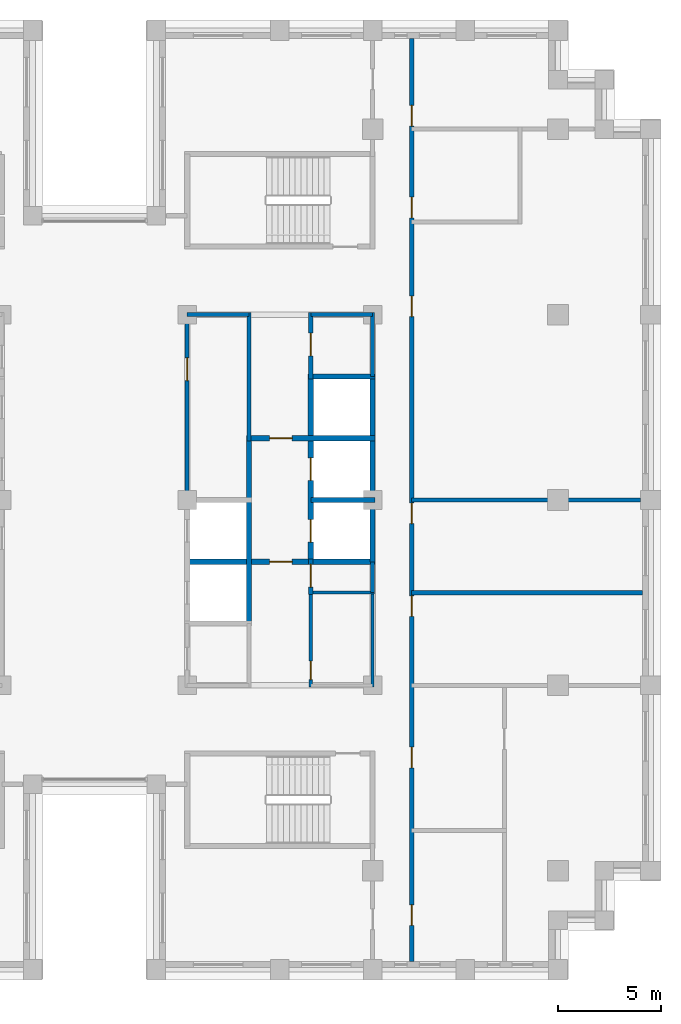
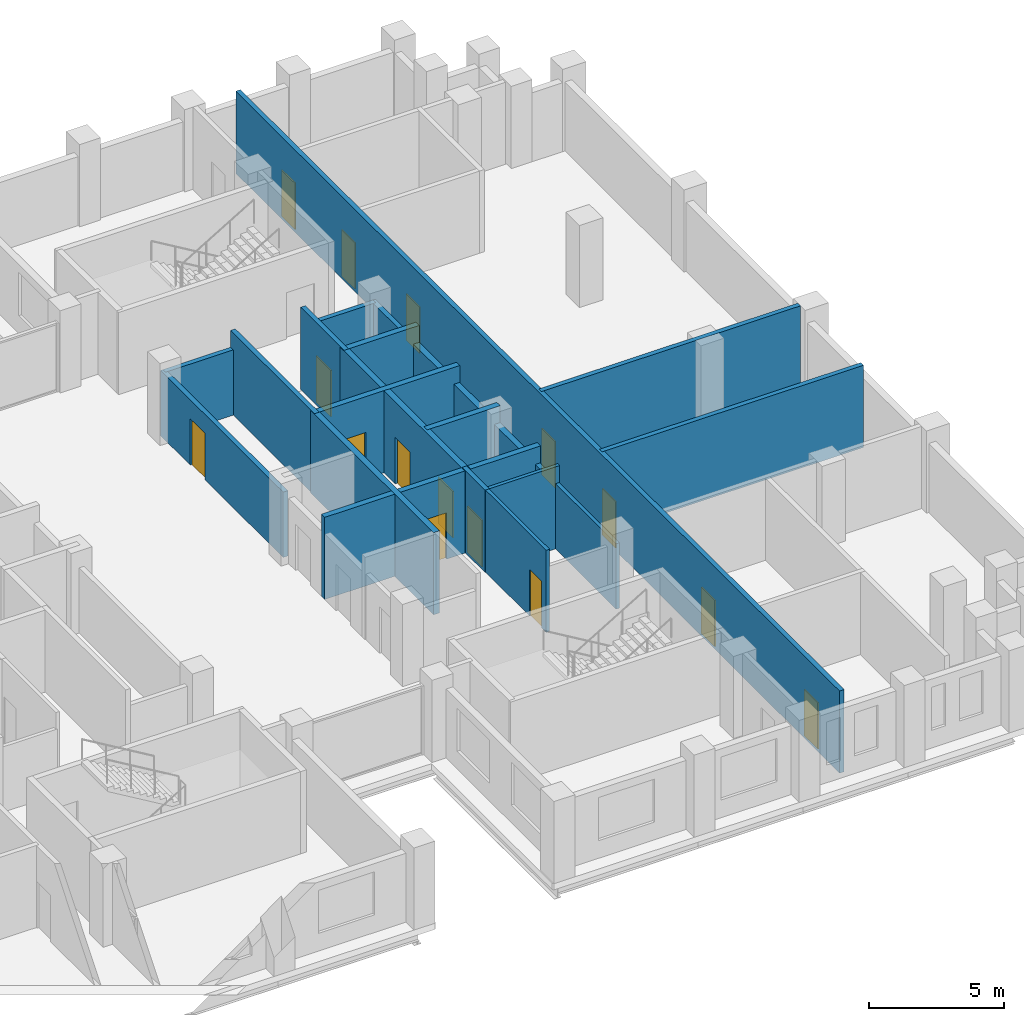
# One storey, part 9 of 15: 21 walls, 15 doors, 15 openings.
"""IFC4 building model written with IfcOpenShell, lengths in metres."""

from ifc_helpers import new_model, si_unit, direction, frame, frame_2d, origin, place, context, subcontext, project, spatial, rectangle, extrude, material, layer, layer_set, type_object, element, fill, save


model = new_model("IFC4")

# Units and contexts
model_context = context("Model", 3, precision=1e-05, world=origin(), true_north=direction((0.0, 1.0)))
body_context = subcontext(model_context, "Body", "Model", "MODEL_VIEW")
ifc_project = project(units=[si_unit("LENGTHUNIT", "METRE"), si_unit("AREAUNIT", "SQUARE_METRE"), si_unit("VOLUMEUNIT", "CUBIC_METRE"), si_unit("PLANEANGLEUNIT", "RADIAN"), si_unit("MASSUNIT", "GRAM", prefix="KILO")], contexts=[model_context])

# Site, building, storey
site_placement = place(None, origin())
site = spatial("IfcSite", under=ifc_project, at=site_placement, CompositionType="ELEMENT")
building_placement = place(site_placement, origin())
building = spatial("IfcBuilding", under=site, at=building_placement, Name="Corbelhall Arena Tower", CompositionType="ELEMENT")
storey_placement = place(building_placement, frame((0.0, 0.0, 208.0)))
storey = spatial("IfcBuildingStorey", under=building, at=storey_placement, Name="L43", CompositionType="ELEMENT", Elevation=208.0)

# Wall, openings, doors
ifc_material_1 = material(Name="Gypsum board on steel stud, acoustic", Category="steel")
ifc_layer_1 = layer(ifc_material_1, 0.199951171875)
ifc_layer_set_1 = layer_set([ifc_layer_1], Name="IN-W-DM200")
wall_type_1 = type_object("IfcWallType", Name="IN-W-DM200", PredefinedType="PARTITIONING", material=ifc_layer_set_1)
wall_1_placement = place(storey_placement, frame((15.39990234375, 22.39990234375, 0.0), z_axis=(0.0, 0.0, 1.0), x_axis=(0.0, -1.0, 0.0)))
wall_1 = element("IfcWall", 1, at=wall_1_placement, inside=storey, type_object=wall_type_1, Name="Partition 026", PredefinedType="PARTITIONING", context=body_context, shape_type="SweptSolid", body=[
    extrude(rectangle(XDim=44.7998046875, YDim=0.199951171875, at=frame_2d((22.39990234375, 0.0))), origin(), (0.0, 0.0, 1.0), 3.719970703125),
])
opening_1_placement = place(wall_1_placement, frame((12.5, 0.0, 0.0)))
opening_1 = element("IfcOpeningElement", 2, at=opening_1_placement, cuts=wall_1, Name="Opening 13032", PredefinedType="OPENING", context=body_context, shape_type="SweptSolid", body=[
    extrude(rectangle(XDim=1.0, YDim=2.10009765625, at=frame_2d((0.5, 1.050048828125))), frame((0.0, 0.10009765625, 0.0), z_axis=(0.0, -1.0, 0.0), x_axis=(1.0, 0.0, 0.0)), (0.0, 0.0, 1.0), 0.199951171875),
])
opening_2_placement = place(wall_1_placement, frame((7.699951171875, 0.0, 0.0)))
opening_2 = element("IfcOpeningElement", 3, at=opening_2_placement, cuts=wall_1, Name="Opening 13033", PredefinedType="OPENING", context=body_context, shape_type="SweptSolid", body=[
    extrude(rectangle(XDim=1.0, YDim=2.10009765625, at=frame_2d((0.5, 1.050048828125))), frame((0.0, 0.10009765625, 0.0), z_axis=(0.0, -1.0, 0.0), x_axis=(1.0, 0.0, 0.0)), (0.0, 0.0, 1.0), 0.199951171875),
])
opening_3_placement = place(wall_1_placement, frame((3.25, 0.0, 0.0)))
opening_3 = element("IfcOpeningElement", 4, at=opening_3_placement, cuts=wall_1, Name="Opening 13034", PredefinedType="OPENING", context=body_context, shape_type="SweptSolid", body=[
    extrude(rectangle(XDim=1.0, YDim=2.10009765625, at=frame_2d((0.5, 1.050048828125))), frame((0.0, 0.10009765625, 0.0), z_axis=(0.0, -1.0, 0.0), x_axis=(1.0, 0.0, 0.0)), (0.0, 0.0, 1.0), 0.199951171875),
])
opening_4_placement = place(wall_1_placement, frame((42.050048828125, 0.0, 0.0)))
opening_4 = element("IfcOpeningElement", 5, at=opening_4_placement, cuts=wall_1, Name="Opening 13035", PredefinedType="OPENING", context=body_context, shape_type="SweptSolid", body=[
    extrude(rectangle(XDim=1.0, YDim=2.10009765625, at=frame_2d((0.5, 1.050048828125))), frame((0.0, 0.10009765625, 0.0), z_axis=(0.0, -1.0, 0.0), x_axis=(1.0, 0.0, 0.0)), (0.0, 0.0, 1.0), 0.199951171875),
])
opening_5_placement = place(wall_1_placement, frame((34.39990234375, 0.0, 0.0)))
opening_5 = element("IfcOpeningElement", 6, at=opening_5_placement, cuts=wall_1, Name="Opening 13036", PredefinedType="OPENING", context=body_context, shape_type="SweptSolid", body=[
    extrude(rectangle(XDim=1.0, YDim=2.10009765625, at=frame_2d((0.5, 1.050048828125))), frame((0.0, 0.10009765625, 0.0), z_axis=(0.0, -1.0, 0.0), x_axis=(1.0, 0.0, 0.0)), (0.0, 0.0, 1.0), 0.199951171875),
])
opening_6_placement = place(wall_1_placement, frame((27.050048828125, 0.0, 0.0)))
opening_6 = element("IfcOpeningElement", 7, at=opening_6_placement, cuts=wall_1, Name="Opening 13038", PredefinedType="OPENING", context=body_context, shape_type="SweptSolid", body=[
    extrude(rectangle(XDim=1.0, YDim=2.10009765625, at=frame_2d((0.5, 1.050048828125))), frame((0.0, 0.10009765625, 0.0), z_axis=(0.0, -1.0, 0.0), x_axis=(1.0, 0.0, 0.0)), (0.0, 0.0, 1.0), 0.199951171875),
])
opening_7_placement = place(wall_1_placement, frame((22.550048828125, 0.0, 0.0)))
opening_7 = element("IfcOpeningElement", 8, at=opening_7_placement, cuts=wall_1, Name="Opening 13039", PredefinedType="OPENING", context=body_context, shape_type="SweptSolid", body=[
    extrude(rectangle(XDim=1.0, YDim=2.10009765625, at=frame_2d((0.5, 1.050048828125))), frame((0.0, 0.10009765625, 0.0), z_axis=(0.0, -1.0, 0.0), x_axis=(1.0, 0.0, 0.0)), (0.0, 0.0, 1.0), 0.199951171875),
])
ifc_material_2 = material(Name="Steel door set", Category="steel")
door_type_1 = type_object("IfcDoorType", Name="IN-D-SW100", OperationType="NOTDEFINED", PredefinedType="DOOR", material=ifc_material_2)
door_1_placement = place(opening_1_placement, origin())
door_1 = element("IfcDoor", 9, at=door_1_placement, inside=storey, type_object=door_type_1, Name="Door 032", OperationType="SINGLE_SWING_LEFT", OverallHeight=2.10009765625, OverallWidth=1.0, PredefinedType="DOOR", context=body_context, shape_type="SweptSolid", body=[
    extrude(rectangle(XDim=1.0, YDim=2.10009765625, at=frame_2d((0.5, 1.050048828125))), frame((0.0, 0.02490234375, 0.0), z_axis=(0.0, -1.0, 0.0), x_axis=(1.0, 0.0, 0.0)), (0.0, 0.0, 1.0), 0.050048828125),
])
fill(opening_1, door_1)
door_2_placement = place(opening_2_placement, origin())
door_2 = element("IfcDoor", 10, at=door_2_placement, inside=storey, type_object=door_type_1, Name="Door 033", OperationType="SINGLE_SWING_RIGHT", OverallHeight=2.10009765625, OverallWidth=1.0, PredefinedType="DOOR", context=body_context, shape_type="SweptSolid", body=[
    extrude(rectangle(XDim=1.0, YDim=2.10009765625, at=frame_2d((0.5, 1.050048828125))), frame((0.0, 0.02490234375, 0.0), z_axis=(0.0, -1.0, 0.0), x_axis=(1.0, 0.0, 0.0)), (0.0, 0.0, 1.0), 0.050048828125),
])
fill(opening_2, door_2)
door_3_placement = place(opening_3_placement, origin())
door_3 = element("IfcDoor", 11, at=door_3_placement, inside=storey, type_object=door_type_1, Name="Door 034", OperationType="SINGLE_SWING_LEFT", OverallHeight=2.10009765625, OverallWidth=1.0, PredefinedType="DOOR", context=body_context, shape_type="SweptSolid", body=[
    extrude(rectangle(XDim=1.0, YDim=2.10009765625, at=frame_2d((0.5, 1.050048828125))), frame((0.0, 0.02490234375, 0.0), z_axis=(0.0, -1.0, 0.0), x_axis=(1.0, 0.0, 0.0)), (0.0, 0.0, 1.0), 0.050048828125),
])
fill(opening_3, door_3)
door_4_placement = place(opening_4_placement, origin())
door_4 = element("IfcDoor", 12, at=door_4_placement, inside=storey, type_object=door_type_1, Name="Door 035", OperationType="SINGLE_SWING_RIGHT", OverallHeight=2.10009765625, OverallWidth=1.0, PredefinedType="DOOR", context=body_context, shape_type="SweptSolid", body=[
    extrude(rectangle(XDim=1.0, YDim=2.10009765625, at=frame_2d((0.5, 1.050048828125))), frame((0.0, 0.02490234375, 0.0), z_axis=(0.0, -1.0, 0.0), x_axis=(1.0, 0.0, 0.0)), (0.0, 0.0, 1.0), 0.050048828125),
])
fill(opening_4, door_4)
door_5_placement = place(opening_5_placement, origin())
door_5 = element("IfcDoor", 13, at=door_5_placement, inside=storey, type_object=door_type_1, Name="Door 036", OperationType="SINGLE_SWING_LEFT", OverallHeight=2.10009765625, OverallWidth=1.0, PredefinedType="DOOR", context=body_context, shape_type="SweptSolid", body=[
    extrude(rectangle(XDim=1.0, YDim=2.10009765625, at=frame_2d((0.5, 1.050048828125))), frame((0.0, 0.02490234375, 0.0), z_axis=(0.0, -1.0, 0.0), x_axis=(1.0, 0.0, 0.0)), (0.0, 0.0, 1.0), 0.050048828125),
])
fill(opening_5, door_5)
door_6_placement = place(opening_6_placement, origin())
door_6 = element("IfcDoor", 14, at=door_6_placement, inside=storey, type_object=door_type_1, Name="Door 038", OperationType="SINGLE_SWING_LEFT", OverallHeight=2.10009765625, OverallWidth=1.0, PredefinedType="DOOR", context=body_context, shape_type="SweptSolid", body=[
    extrude(rectangle(XDim=1.0, YDim=2.10009765625, at=frame_2d((0.5, 1.050048828125))), frame((0.0, 0.02490234375, 0.0), z_axis=(0.0, -1.0, 0.0), x_axis=(1.0, 0.0, 0.0)), (0.0, 0.0, 1.0), 0.050048828125),
])
fill(opening_6, door_6)
door_7_placement = place(opening_7_placement, origin())
door_7 = element("IfcDoor", 15, at=door_7_placement, inside=storey, type_object=door_type_1, Name="Door 039", OperationType="SINGLE_SWING_RIGHT", OverallHeight=2.10009765625, OverallWidth=1.0, PredefinedType="DOOR", context=body_context, shape_type="SweptSolid", body=[
    extrude(rectangle(XDim=1.0, YDim=2.10009765625, at=frame_2d((0.5, 1.050048828125))), frame((0.0, 0.02490234375, 0.0), z_axis=(0.0, -1.0, 0.0), x_axis=(1.0, 0.0, 0.0)), (0.0, 0.0, 1.0), 0.050048828125),
])
fill(opening_7, door_7)

# Walls
wall_2_placement = place(storey_placement, frame((15.39990234375, -4.5, 0.0), z_axis=(0.0, 0.0, 1.0), x_axis=(1.0, 0.0, 0.0)))
element("IfcWall", 16, at=wall_2_placement, inside=storey, type_object=wall_type_1, Name="Partition 028", PredefinedType="PARTITIONING", context=body_context, shape_type="SweptSolid", body=[
    extrude(rectangle(XDim=11.2001953125, YDim=0.199951171875, at=frame_2d((5.60009765625, 0.0))), origin(), (0.0, 0.0, 1.0), 3.719970703125),
])
wall_3_placement = place(storey_placement, frame((26.5, 0.0, 0.0), z_axis=(0.0, 0.0, 1.0), x_axis=(-1.0, 0.0, 0.0)))
element("IfcWall", 17, at=wall_3_placement, inside=storey, type_object=wall_type_1, Name="Partition 033", PredefinedType="PARTITIONING", context=body_context, shape_type="SweptSolid", body=[
    extrude(rectangle(XDim=11.10009765625, YDim=0.199951171875, at=frame_2d((5.550048828125, 0.0))), origin(), (0.0, 0.0, 1.0), 3.719970703125),
])
ifc_material_3 = material(Name="Concrete block wall", Category="concrete")
ifc_layer_2 = layer(ifc_material_3, 0.199951171875)
ifc_layer_set_2 = layer_set([ifc_layer_2], Name="IN-W-RS200")
wall_type_2 = type_object("IfcWallType", Name="IN-W-RS200", PredefinedType="SOLIDWALL", material=ifc_layer_set_2)
wall_4_placement = place(storey_placement, frame((7.5, 9.10009765625, 0.0), z_axis=(0.0, 0.0, 1.0), x_axis=(0.0, -1.0, 0.0)))
element("IfcWall", 18, at=wall_4_placement, inside=storey, type_object=wall_type_2, Name="Partition 050", PredefinedType="SOLIDWALL", context=body_context, shape_type="SweptSolid", body=[
    extrude(rectangle(XDim=6.22509765625, YDim=0.199951171875, at=frame_2d((3.112548828125, 0.0))), origin(), (0.0, 0.0, 1.0), 3.719970703125),
])

# Wall, opening, door
wall_5_placement = place(storey_placement, frame((10.5, -2.875, 0.0), z_axis=(0.0, 0.0, 1.0), x_axis=(0.0, -1.0, 0.0)))
wall_5 = element("IfcWall", 19, at=wall_5_placement, inside=storey, type_object=wall_type_2, Name="Partition 051", PredefinedType="SOLIDWALL", context=body_context, shape_type="SweptSolid", body=[
    extrude(rectangle(XDim=1.699951171875, YDim=0.199951171875, at=frame_2d((0.85009765625, 0.0))), origin(), (0.0, 0.0, 1.0), 3.719970703125),
])
opening_8_placement = place(wall_5_placement, frame((0.25, 0.0, 0.0)))
opening_8 = element("IfcOpeningElement", 20, at=opening_8_placement, cuts=wall_5, Name="Opening 13013", PredefinedType="OPENING", context=body_context, shape_type="SweptSolid", body=[
    extrude(rectangle(XDim=1.10009765625, YDim=2.10009765625, at=frame_2d((0.550048828125, 1.050048828125))), frame((0.0, 0.10009765625, 0.0), z_axis=(0.0, -1.0, 0.0), x_axis=(1.0, 0.0, 0.0)), (0.0, 0.0, 1.0), 0.199951171875),
])
door_type_2 = type_object("IfcDoorType", Name="IN-D-FD110", OperationType="NOTDEFINED", PredefinedType="DOOR", material=ifc_material_2)
door_8_placement = place(opening_8_placement, origin())
door_8 = element("IfcDoor", 21, at=door_8_placement, inside=storey, type_object=door_type_2, Name="Door 013", OperationType="SINGLE_SWING_RIGHT", OverallHeight=2.10009765625, OverallWidth=1.10009765625, PredefinedType="DOOR", context=body_context, shape_type="SweptSolid", body=[
    extrude(rectangle(XDim=1.10009765625, YDim=2.10009765625, at=frame_2d((0.550048828125, 1.050048828125))), frame((0.0, 0.02490234375, 0.0), z_axis=(0.0, -1.0, 0.0), x_axis=(1.0, 0.0, 0.0)), (0.0, 0.0, 1.0), 0.050048828125),
])
fill(opening_8, door_8)

wall_6_placement = place(storey_placement, frame((10.5, 9.10009765625, 0.0), z_axis=(0.0, 0.0, 1.0), x_axis=(0.0, -1.0, 0.0)))
wall_6 = element("IfcWall", 22, at=wall_6_placement, inside=storey, type_object=wall_type_2, Name="Partition 053", PredefinedType="SOLIDWALL", context=body_context, shape_type="SweptSolid", body=[
    extrude(rectangle(XDim=3.22509765625, YDim=0.199951171875, at=frame_2d((1.612548828125, 0.0))), origin(), (0.0, 0.0, 1.0), 3.719970703125),
])
opening_9_placement = place(wall_6_placement, frame((1.0, 0.0, 0.0)))
opening_9 = element("IfcOpeningElement", 23, at=opening_9_placement, cuts=wall_6, Name="Opening 13014", PredefinedType="OPENING", context=body_context, shape_type="SweptSolid", body=[
    extrude(rectangle(XDim=1.10009765625, YDim=2.10009765625, at=frame_2d((0.550048828125, 1.050048828125))), frame((0.0, 0.10009765625, 0.0), z_axis=(0.0, -1.0, 0.0), x_axis=(1.0, 0.0, 0.0)), (0.0, 0.0, 1.0), 0.199951171875),
])
door_9_placement = place(opening_9_placement, origin())
door_9 = element("IfcDoor", 24, at=door_9_placement, inside=storey, type_object=door_type_2, Name="Door 014", OperationType="SINGLE_SWING_LEFT", OverallHeight=2.10009765625, OverallWidth=1.10009765625, PredefinedType="DOOR", context=body_context, shape_type="SweptSolid", body=[
    extrude(rectangle(XDim=1.10009765625, YDim=2.10009765625, at=frame_2d((0.550048828125, 1.050048828125))), frame((0.0, 0.02490234375, 0.0), z_axis=(0.0, -1.0, 0.0), x_axis=(1.0, 0.0, 0.0)), (0.0, 0.0, 1.0), 0.050048828125),
])
fill(opening_9, door_9)

ifc_layer_3 = layer(ifc_material_3, 0.199951171875)
ifc_layer_set_3 = layer_set([ifc_layer_3], Name="IN-W-RS200 under beam 762 mm")
wall_type_3 = type_object("IfcWallType", Name="IN-W-RS200 under beam 762 mm", PredefinedType="SOLIDWALL", material=ifc_layer_set_3)
wall_7_placement = place(storey_placement, frame((4.5, 0.0, 0.0), z_axis=(0.0, 0.0, 1.0), x_axis=(0.0, 1.0, 0.0)))
wall_7 = element("IfcWall", 25, at=wall_7_placement, inside=storey, type_object=wall_type_3, Name="Partition 046", PredefinedType="SOLIDWALL", context=body_context, shape_type="SweptSolid", body=[
    extrude(rectangle(XDim=9.10009765625, YDim=0.199951171875, at=frame_2d((4.550048828125, 0.0))), origin(), (0.0, 0.0, 1.0), 2.9580078125),
])
opening_10_placement = place(wall_7_placement, frame((5.800048828125, 0.0, 0.0)))
opening_10 = element("IfcOpeningElement", 26, at=opening_10_placement, cuts=wall_7, Name="Opening 13009", PredefinedType="OPENING", context=body_context, shape_type="SweptSolid", body=[
    extrude(rectangle(XDim=1.10009765625, YDim=2.10009765625, at=frame_2d((0.550048828125, 1.050048828125))), frame((0.0, 0.10009765625, 0.0), z_axis=(0.0, -1.0, 0.0), x_axis=(1.0, 0.0, 0.0)), (0.0, 0.0, 1.0), 0.199951171875),
])
door_10_placement = place(opening_10_placement, origin())
door_10 = element("IfcDoor", 27, at=door_10_placement, inside=storey, type_object=door_type_2, Name="Door 009", OperationType="SINGLE_SWING_RIGHT", OverallHeight=2.10009765625, OverallWidth=1.10009765625, PredefinedType="DOOR", context=body_context, shape_type="SweptSolid", body=[
    extrude(rectangle(XDim=1.10009765625, YDim=2.10009765625, at=frame_2d((0.550048828125, 1.050048828125))), frame((0.0, 0.02490234375, 0.0), z_axis=(0.0, -1.0, 0.0), x_axis=(1.0, 0.0, 0.0)), (0.0, 0.0, 1.0), 0.050048828125),
])
fill(opening_10, door_10)

# Walls
for number, where, z_axis, x_axis, name in (
    (28, (4.5, 9.0, 0.0), (0.0, 0.0, 1.0), (1.0, 0.0, 0.0), "Partition 047"),
    (29, (10.5, 9.0, 0.0), (0.0, 0.0, 1.0), (1.0, 0.0, 0.0), "Partition 052"),
):
    element("IfcWall", number, at=place(storey_placement, frame(where, z_axis=z_axis, x_axis=x_axis)), inside=storey, type_object=wall_type_3, Name=name, PredefinedType="SOLIDWALL", context=body_context, shape_type="SweptSolid", body=[
        extrude(rectangle(XDim=3.0, YDim=0.199951171875, at=frame_2d((1.5, 0.0))), origin(), (0.0, 0.0, 1.0), 2.9580078125),
    ])
wall_8_placement = place(storey_placement, frame((13.5, -3.0, 0.0), z_axis=(0.0, 0.0, 1.0), x_axis=(0.0, -1.0, 0.0)))
element("IfcWall", 30, at=wall_8_placement, inside=storey, type_object=wall_type_3, Name="Partition 054", PredefinedType="SOLIDWALL", context=body_context, shape_type="SweptSolid", body=[
    extrude(rectangle(XDim=1.5, YDim=0.199951171875, at=frame_2d((0.75, 0.0))), origin(), (0.0, 0.0, 1.0), 2.9580078125),
])
wall_9_placement = place(storey_placement, frame((13.5, 9.10009765625, 0.0), z_axis=(0.0, 0.0, 1.0), x_axis=(0.0, -1.0, 0.0)))
element("IfcWall", 31, at=wall_9_placement, inside=storey, type_object=wall_type_3, Name="Partition 055", PredefinedType="SOLIDWALL", context=body_context, shape_type="SweptSolid", body=[
    extrude(rectangle(XDim=3.10009765625, YDim=0.199951171875, at=frame_2d((1.550048828125, 0.0))), origin(), (0.0, 0.0, 1.0), 2.9580078125),
])

# Wall, opening, door
ifc_material_4 = material(Name="Concrete C40/50", Category="concrete")
ifc_layer_4 = layer(ifc_material_4, 0.25)
ifc_layer_set_4 = layer_set([ifc_layer_4], Name="IN-W-SH250")
wall_type_4 = type_object("IfcWallType", Name="IN-W-SH250", PredefinedType="SOLIDWALL", material=ifc_layer_set_4)
wall_10_placement = place(storey_placement, frame((4.375, -3.0, 0.0), z_axis=(0.0, 0.0, 1.0), x_axis=(1.0, 0.0, 0.0)))
wall_10 = element("IfcWall", 32, at=wall_10_placement, inside=storey, type_object=wall_type_4, Name="Shaft wall 066", PredefinedType="SOLIDWALL", context=body_context, shape_type="SweptSolid", body=[
    extrude(rectangle(XDim=9.25, YDim=0.25, at=frame_2d((4.625, 0.0))), origin(), (0.0, 0.0, 1.0), 3.719970703125),
])
opening_11_placement = place(wall_10_placement, frame((4.125, 0.0, 0.0)))
opening_11 = element("IfcOpeningElement", 33, at=opening_11_placement, cuts=wall_10, Name="Opening 13010", PredefinedType="OPENING", context=body_context, shape_type="SweptSolid", body=[
    extrude(rectangle(XDim=1.10009765625, YDim=2.10009765625, at=frame_2d((0.550048828125, 1.050048828125))), frame((0.0, 0.125, 0.0), z_axis=(0.0, -1.0, 0.0), x_axis=(1.0, 0.0, 0.0)), (0.0, 0.0, 1.0), 0.25),
])
door_11_placement = place(opening_11_placement, origin())
door_11 = element("IfcDoor", 34, at=door_11_placement, inside=storey, type_object=door_type_2, Name="Door 010", OperationType="SINGLE_SWING_LEFT", OverallHeight=2.10009765625, OverallWidth=1.10009765625, PredefinedType="DOOR", context=body_context, shape_type="SweptSolid", body=[
    extrude(rectangle(XDim=1.10009765625, YDim=2.10009765625, at=frame_2d((0.550048828125, 1.050048828125))), frame((0.0, 0.02490234375, 0.0), z_axis=(0.0, -1.0, 0.0), x_axis=(1.0, 0.0, 0.0)), (0.0, 0.0, 1.0), 0.050048828125),
])
fill(opening_11, door_11)

# Wall
wall_11_placement = place(storey_placement, frame((7.5, 3.125, 0.0), z_axis=(0.0, 0.0, 1.0), x_axis=(0.0, -1.0, 0.0)))
element("IfcWall", 35, at=wall_11_placement, inside=storey, type_object=wall_type_4, Name="Shaft wall 069", PredefinedType="SOLIDWALL", context=body_context, shape_type="SweptSolid", body=[
    extrude(rectangle(XDim=9.125, YDim=0.25, at=frame_2d((4.5625, 0.0))), origin(), (0.0, 0.0, 1.0), 3.719970703125),
])

# Wall, opening, door
wall_12_placement = place(storey_placement, frame((7.5, 3.0, 0.0), z_axis=(0.0, 0.0, 1.0), x_axis=(1.0, 0.0, 0.0)))
wall_12 = element("IfcWall", 36, at=wall_12_placement, inside=storey, type_object=wall_type_4, Name="Shaft wall 070", PredefinedType="SOLIDWALL", context=body_context, shape_type="SweptSolid", body=[
    extrude(rectangle(XDim=6.125, YDim=0.25, at=frame_2d((3.0625, 0.0))), origin(), (0.0, 0.0, 1.0), 3.719970703125),
])
opening_12_placement = place(wall_12_placement, frame((1.0, 0.0, 0.0)))
opening_12 = element("IfcOpeningElement", 37, at=opening_12_placement, cuts=wall_12, Name="Opening 13011", PredefinedType="OPENING", context=body_context, shape_type="SweptSolid", body=[
    extrude(rectangle(XDim=1.10009765625, YDim=2.10009765625, at=frame_2d((0.550048828125, 1.050048828125))), frame((0.0, 0.125, 0.0), z_axis=(0.0, -1.0, 0.0), x_axis=(1.0, 0.0, 0.0)), (0.0, 0.0, 1.0), 0.25),
])
door_12_placement = place(opening_12_placement, origin())
door_12 = element("IfcDoor", 38, at=door_12_placement, inside=storey, type_object=door_type_2, Name="Door 011", OperationType="SINGLE_SWING_RIGHT", OverallHeight=2.10009765625, OverallWidth=1.10009765625, PredefinedType="DOOR", context=body_context, shape_type="SweptSolid", body=[
    extrude(rectangle(XDim=1.10009765625, YDim=2.10009765625, at=frame_2d((0.550048828125, 1.050048828125))), frame((0.0, 0.02490234375, 0.0), z_axis=(0.0, -1.0, 0.0), x_axis=(1.0, 0.0, 0.0)), (0.0, 0.0, 1.0), 0.050048828125),
])
fill(opening_12, door_12)

# Wall
wall_13_placement = place(storey_placement, frame((10.5, 0.0, 0.0), z_axis=(0.0, 0.0, 1.0), x_axis=(1.0, 0.0, 0.0)))
element("IfcWall", 39, at=wall_13_placement, inside=storey, type_object=wall_type_4, Name="Shaft wall 071", PredefinedType="SOLIDWALL", context=body_context, shape_type="SweptSolid", body=[
    extrude(rectangle(XDim=3.125, YDim=0.25, at=frame_2d((1.5625, 0.0))), origin(), (0.0, 0.0, 1.0), 3.719970703125),
])

# Wall, openings, doors
wall_14_placement = place(storey_placement, frame((10.5, 6.125, 0.0), z_axis=(0.0, 0.0, 1.0), x_axis=(0.0, -1.0, 0.0)))
wall_14 = element("IfcWall", 40, at=wall_14_placement, inside=storey, type_object=wall_type_4, Name="Shaft wall 072", PredefinedType="SOLIDWALL", context=body_context, shape_type="SweptSolid", body=[
    extrude(rectangle(XDim=9.25, YDim=0.25, at=frame_2d((4.625, 0.0))), origin(), (0.0, 0.0, 1.0), 3.719970703125),
])
opening_13_placement = place(wall_14_placement, frame((7.074951171875, 0.0, 0.0)))
opening_13 = element("IfcOpeningElement", 41, at=opening_13_placement, cuts=wall_14, Name="Opening LD", PredefinedType="OPENING", context=body_context, shape_type="SweptSolid", body=[
    extrude(rectangle(XDim=1.10009765625, YDim=2.10009765625, at=frame_2d((0.550048828125, 1.050048828125))), frame((0.0, 0.125, 0.0), z_axis=(0.0, -1.0, 0.0), x_axis=(1.0, 0.0, 0.0)), (0.0, 0.0, 1.0), 0.25),
])
opening_14_placement = place(wall_14_placement, frame((4.074951171875, 0.0, 0.0)))
opening_14 = element("IfcOpeningElement", 42, at=opening_14_placement, cuts=wall_14, Name="Opening LD", PredefinedType="OPENING", context=body_context, shape_type="SweptSolid", body=[
    extrude(rectangle(XDim=1.10009765625, YDim=2.10009765625, at=frame_2d((0.550048828125, 1.050048828125))), frame((0.0, 0.125, 0.0), z_axis=(0.0, -1.0, 0.0), x_axis=(1.0, 0.0, 0.0)), (0.0, 0.0, 1.0), 0.25),
])
door_type_3 = type_object("IfcDoorType", Name="IN-D-LD110", OperationType="NOTDEFINED", PredefinedType="DOOR", material=ifc_material_2)
door_13_placement = place(opening_13_placement, origin())
door_13 = element("IfcDoor", 43, at=door_13_placement, inside=storey, type_object=door_type_3, Name="Landing door E3", OperationType="SLIDING_TO_LEFT", OverallHeight=2.10009765625, OverallWidth=1.10009765625, PredefinedType="DOOR", context=body_context, shape_type="SweptSolid", body=[
    extrude(rectangle(XDim=1.10009765625, YDim=2.10009765625, at=frame_2d((0.550048828125, 1.050048828125))), frame((0.0, 0.02490234375, 0.0), z_axis=(0.0, -1.0, 0.0), x_axis=(1.0, 0.0, 0.0)), (0.0, 0.0, 1.0), 0.050048828125),
])
fill(opening_13, door_13)
door_14_placement = place(opening_14_placement, origin())
door_14 = element("IfcDoor", 44, at=door_14_placement, inside=storey, type_object=door_type_3, Name="Landing door E4", OperationType="SLIDING_TO_LEFT", OverallHeight=2.10009765625, OverallWidth=1.10009765625, PredefinedType="DOOR", context=body_context, shape_type="SweptSolid", body=[
    extrude(rectangle(XDim=1.10009765625, YDim=2.10009765625, at=frame_2d((0.550048828125, 1.050048828125))), frame((0.0, 0.02490234375, 0.0), z_axis=(0.0, -1.0, 0.0), x_axis=(1.0, 0.0, 0.0)), (0.0, 0.0, 1.0), 0.050048828125),
])
fill(opening_14, door_14)

# Walls
wall_15_placement = place(storey_placement, frame((10.5, 6.0, 0.0), z_axis=(0.0, 0.0, 1.0), x_axis=(1.0, 0.0, 0.0)))
element("IfcWall", 45, at=wall_15_placement, inside=storey, type_object=wall_type_4, Name="Shaft wall 073", PredefinedType="SOLIDWALL", context=body_context, shape_type="SweptSolid", body=[
    extrude(rectangle(XDim=3.125, YDim=0.25, at=frame_2d((1.5625, 0.0))), origin(), (0.0, 0.0, 1.0), 3.719970703125),
])
ifc_layer_5 = layer(ifc_material_4, 0.25)
ifc_layer_set_5 = layer_set([ifc_layer_5], Name="IN-W-SH250 under beam 762 mm")
wall_type_5 = type_object("IfcWallType", Name="IN-W-SH250 under beam 762 mm", PredefinedType="SOLIDWALL", material=ifc_layer_set_5)
wall_16_placement = place(storey_placement, frame((13.5, 6.0, 0.0), z_axis=(0.0, 0.0, 1.0), x_axis=(0.0, -1.0, 0.0)))
element("IfcWall", 46, at=wall_16_placement, inside=storey, type_object=wall_type_5, Name="Shaft wall 074", PredefinedType="SOLIDWALL", context=body_context, shape_type="SweptSolid", body=[
    extrude(rectangle(XDim=9.0, YDim=0.25, at=frame_2d((4.5, 0.0))), origin(), (0.0, 0.0, 1.0), 2.9580078125),
])
ifc_material_5 = material(Name="Gypsum board on steel stud, moisture resistant", Category="steel")
ifc_layer_6 = layer(ifc_material_5, 0.14990234375)
ifc_layer_set_6 = layer_set([ifc_layer_6], Name="IN-W-WC150")
wall_type_6 = type_object("IfcWallType", Name="IN-W-WC150", PredefinedType="PARTITIONING", material=ifc_layer_set_6)
wall_17_placement = place(storey_placement, frame((10.5, -4.5, 0.0), z_axis=(0.0, 0.0, 1.0), x_axis=(1.0, 0.0, 0.0)))
element("IfcWall", 47, at=wall_17_placement, inside=storey, type_object=wall_type_6, Name="Partition 105", PredefinedType="PARTITIONING", context=body_context, shape_type="SweptSolid", body=[
    extrude(rectangle(XDim=3.10009765625, YDim=0.14990234375, at=frame_2d((1.550048828125, 0.0))), origin(), (0.0, 0.0, 1.0), 3.719970703125),
])

# Wall, opening, door
wall_18_placement = place(storey_placement, frame((10.5, -4.425048828125, 0.0), z_axis=(0.0, 0.0, 1.0), x_axis=(0.0, -1.0, 0.0)))
wall_18 = element("IfcWall", 48, at=wall_18_placement, inside=storey, type_object=wall_type_6, Name="Partition 106", PredefinedType="PARTITIONING", context=body_context, shape_type="SweptSolid", body=[
    extrude(rectangle(XDim=4.64990234375, YDim=0.14990234375, at=frame_2d((2.324951171875, 0.0))), origin(), (0.0, 0.0, 1.0), 3.719970703125),
])
opening_15_placement = place(wall_18_placement, frame((3.39990234375, 0.0, 0.0)))
opening_15 = element("IfcOpeningElement", 49, at=opening_15_placement, cuts=wall_18, Name="Opening 13012", PredefinedType="OPENING", context=body_context, shape_type="SweptSolid", body=[
    extrude(rectangle(XDim=0.89990234375, YDim=2.10009765625, at=frame_2d((0.449951171875, 1.050048828125))), frame((0.0, 0.074951171875, 0.0), z_axis=(0.0, -1.0, 0.0), x_axis=(1.0, 0.0, 0.0)), (0.0, 0.0, 1.0), 0.14990234375),
])
ifc_material_6 = material(Name="Timber door set", Category="wood")
door_type_4 = type_object("IfcDoorType", Name="IN-D-SW90", OperationType="NOTDEFINED", PredefinedType="DOOR", material=ifc_material_6)
door_15_placement = place(opening_15_placement, origin())
door_15 = element("IfcDoor", 50, at=door_15_placement, inside=storey, type_object=door_type_4, Name="Door 012", OperationType="SINGLE_SWING_LEFT", OverallHeight=2.10009765625, OverallWidth=0.89990234375, PredefinedType="DOOR", context=body_context, shape_type="SweptSolid", body=[
    extrude(rectangle(XDim=0.89990234375, YDim=2.10009765625, at=frame_2d((0.449951171875, 1.050048828125))), frame((0.0, 0.02490234375, 0.0), z_axis=(0.0, -1.0, 0.0), x_axis=(1.0, 0.0, 0.0)), (0.0, 0.0, 1.0), 0.050048828125),
])
fill(opening_15, door_15)

# Wall
ifc_layer_7 = layer(ifc_material_5, 0.14990234375)
ifc_layer_set_7 = layer_set([ifc_layer_7], Name="IN-W-WC150 under beam 762 mm")
wall_type_7 = type_object("IfcWallType", Name="IN-W-WC150 under beam 762 mm", PredefinedType="PARTITIONING", material=ifc_layer_set_7)
wall_19_placement = place(storey_placement, frame((13.5, -4.5, 0.0), z_axis=(0.0, 0.0, 1.0), x_axis=(0.0, -1.0, 0.0)))
element("IfcWall", 51, at=wall_19_placement, inside=storey, type_object=wall_type_7, Name="Partition 108", PredefinedType="PARTITIONING", context=body_context, shape_type="SweptSolid", body=[
    extrude(rectangle(XDim=4.574951171875, YDim=0.14990234375, at=frame_2d((2.28759765625, 0.0))), origin(), (0.0, 0.0, 1.0), 2.9580078125),
])

save(model, "model.ifc")
